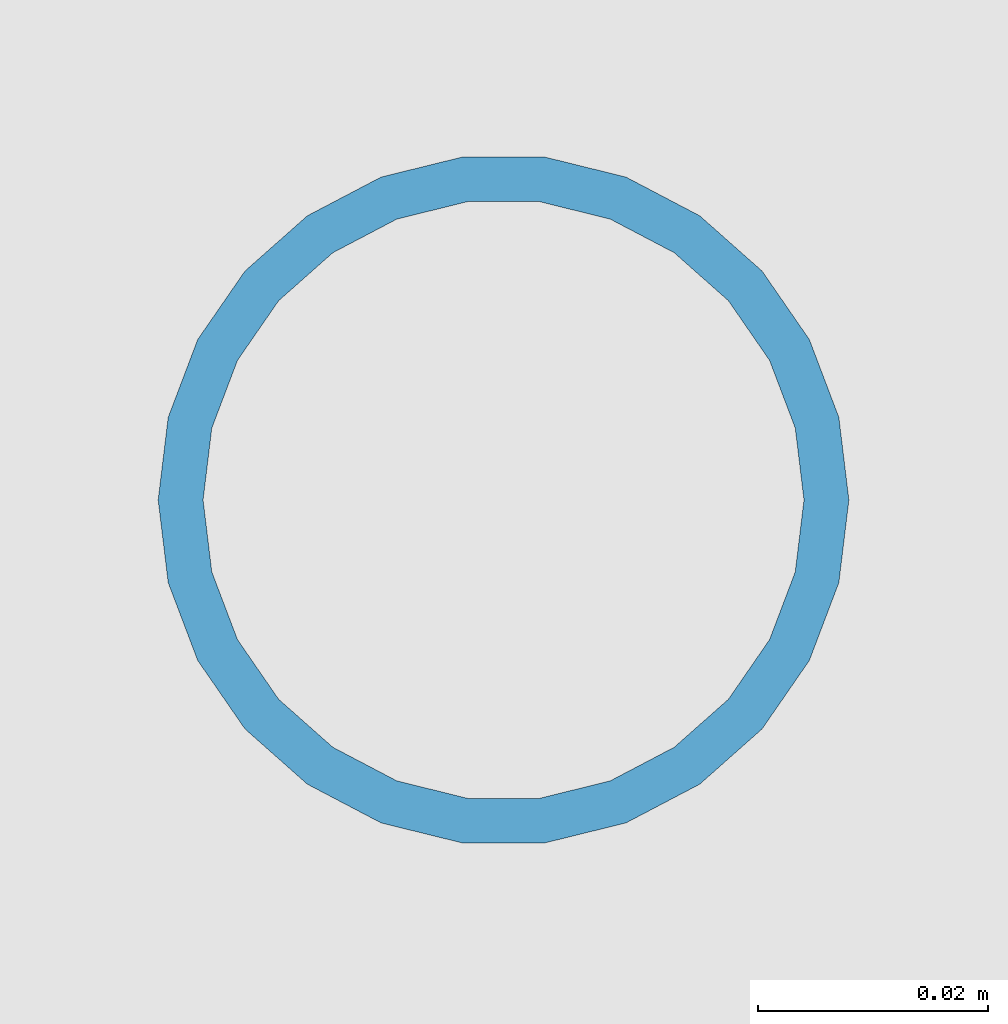
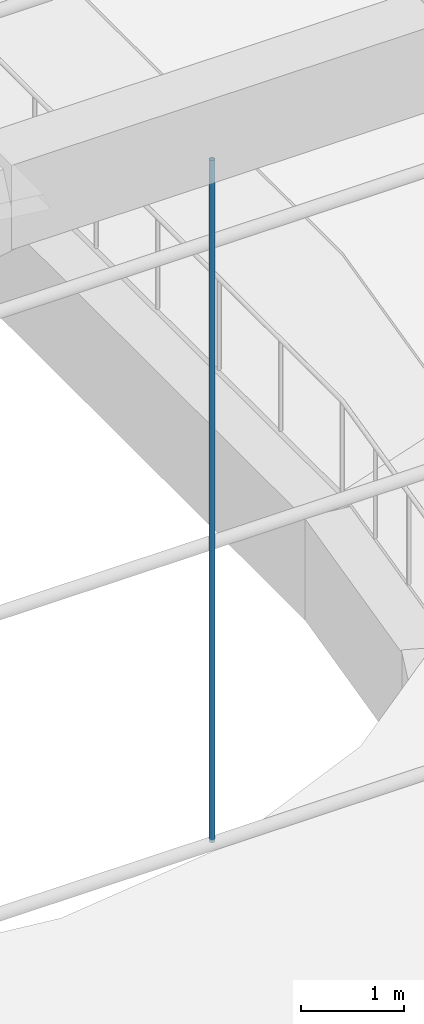
# One storey, part 19 of 94: 1 member.
"""IFC4 building model written with IfcOpenShell, lengths in metres."""

from ifc_helpers import new_model, si_unit, direction, frame, origin, origin_2d, place, context, subcontext, project, spatial, hollow_circle, extrude, material, material_profile, profile_set, type_object, element, save


model = new_model("IFC4")

# Units and contexts
model_context = context("Model", 3, precision=1e-05, world=origin(), true_north=direction((0.0, 1.0)))
body_context = subcontext(model_context, "Body", "Model", "MODEL_VIEW")
ifc_project = project(units=[si_unit("LENGTHUNIT", "METRE"), si_unit("AREAUNIT", "SQUARE_METRE"), si_unit("VOLUMEUNIT", "CUBIC_METRE"), si_unit("PLANEANGLEUNIT", "RADIAN"), si_unit("MASSUNIT", "GRAM", prefix="KILO")], contexts=[model_context])

# Site, building, storey
site_placement = place(None, origin())
site = spatial("IfcSite", under=ifc_project, at=site_placement, CompositionType="ELEMENT")
building_placement = place(site_placement, origin())
building = spatial("IfcBuilding", under=site, at=building_placement, Name="Lunette Opera House", CompositionType="ELEMENT")
storey_placement = place(building_placement, frame((0.0, 0.0, 22.5)))
storey = spatial("IfcBuildingStorey", under=building, at=storey_placement, Name="L04", CompositionType="ELEMENT", Elevation=22.5)

# Member
ifc_material = material(Name="Steel S355", Category="steel")
ifc_material_profile = material_profile(ifc_material, hollow_circle(Radius=0.030029296875, WallThickness=0.00390625, at=origin_2d()), Name="CHS 60.3X4")
ifc_profile_set = profile_set([ifc_material_profile], Name="Steel S355")
member_type = type_object("IfcMemberType", Name="CHS 60.3X4", PredefinedType="POST", material=ifc_profile_set)
member_placement = place(storey_placement, frame((96.0, 73.12890625, 2.72998046875), z_axis=(0.0, 0.0, 1.0), x_axis=(1.0, 0.0, 0.0)))
element("IfcMember", 1, at=member_placement, inside=storey, type_object=member_type, Name="mem-AU-L04-HG3-96", PredefinedType="POST", context=body_context, shape_type="SweptSolid", body=[
    extrude(hollow_circle(Radius=0.030029296875, WallThickness=0.00390625, at=origin_2d()), origin(), (0.0, 0.0, 1.0), 8.08203125),
])

save(model, "model.ifc")
